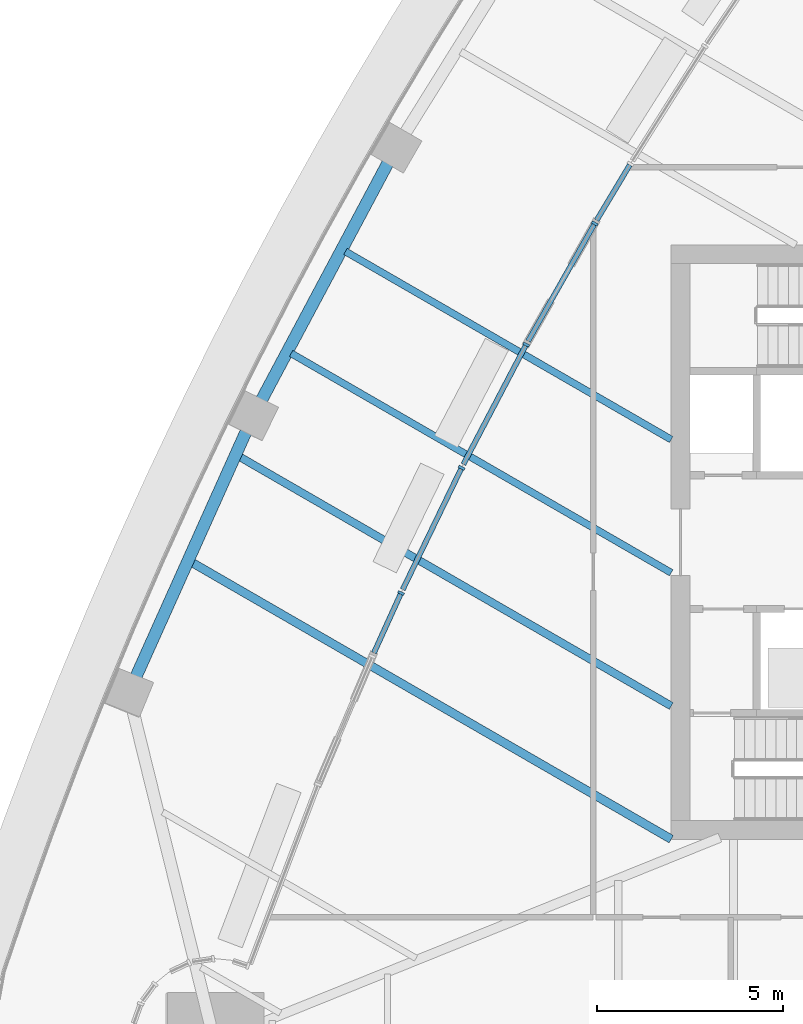
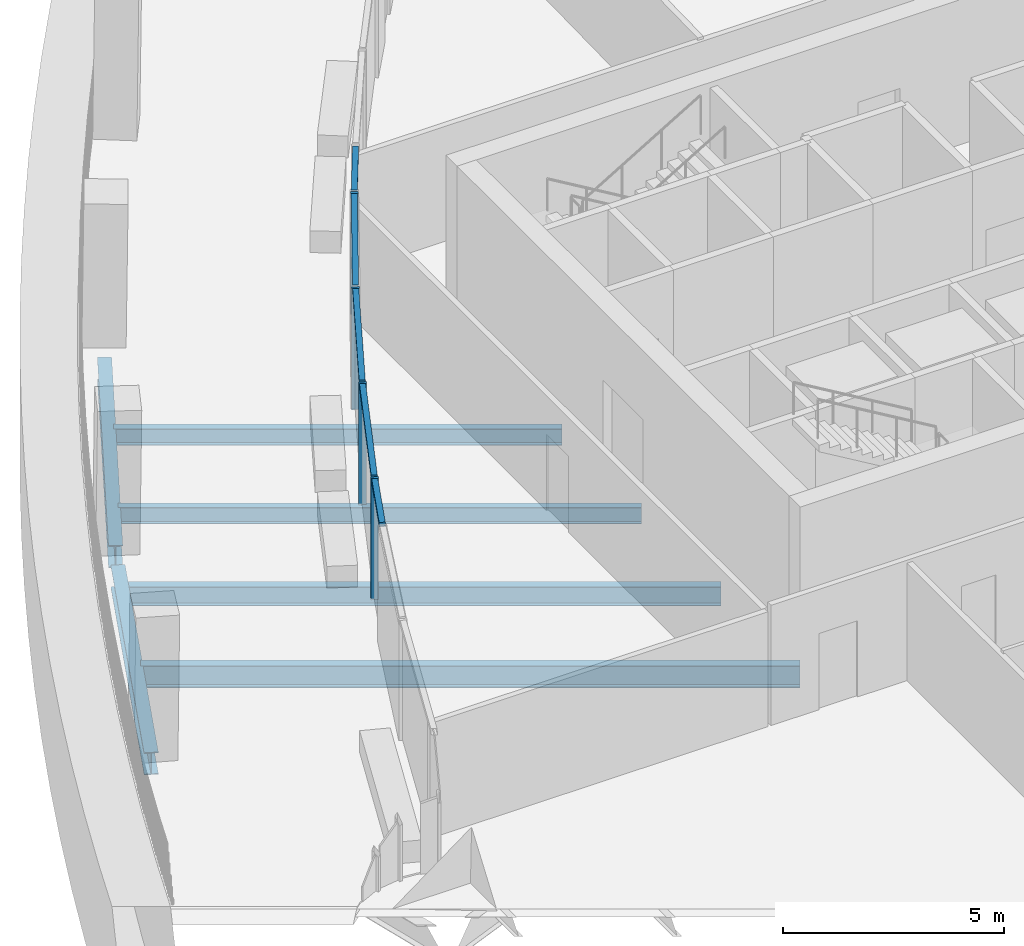
# One storey, part 3 of 18: 9 members, 6 beams, 5 elements without a shape of their own.
"""IFC4 building model written with IfcOpenShell, lengths in metres."""

from ifc_helpers import new_model, si_unit, direction, frame, origin, origin_2d, place, context, subcontext, project, spatial, rectangle, i_section, extrude, material, layer, layer_set, material_profile, profile_set, type_object, element, aggregate, save


model = new_model("IFC4")

# Units and contexts
model_context = context("Model", 3, precision=1e-05, world=origin(), true_north=direction((0.0, 1.0)))
body_context = subcontext(model_context, "Body", "Model", "MODEL_VIEW")
ifc_project = project(units=[si_unit("LENGTHUNIT", "METRE"), si_unit("AREAUNIT", "SQUARE_METRE"), si_unit("VOLUMEUNIT", "CUBIC_METRE"), si_unit("PLANEANGLEUNIT", "RADIAN"), si_unit("MASSUNIT", "GRAM", prefix="KILO")], contexts=[model_context])

# Site, building, storey
site_placement = place(None, origin())
site = spatial("IfcSite", under=ifc_project, at=site_placement, CompositionType="ELEMENT")
building_placement = place(site_placement, origin())
building = spatial("IfcBuilding", under=site, at=building_placement, Name="Sierra Prisma Convention Tower", CompositionType="ELEMENT")
storey_placement = place(building_placement, frame((0.0, 0.0, 189.800048828125)))
storey = spatial("IfcBuildingStorey", under=building, at=storey_placement, Name="L42", CompositionType="ELEMENT", Elevation=189.800048828125)

# Curtain wall, member
ifc_material_1 = material(Name="Aluminium and glass curtain wall", Category="aluminium")
ifc_layer = layer(ifc_material_1, 0.179931640625)
ifc_layer_set = layer_set([ifc_layer], Name="CW-6 Terrace recess curtain wall")
curtain_wall_type = type_object("IfcCurtainWallType", Name="CW-6 Terrace recess curtain wall", PredefinedType="NOTDEFINED", material=ifc_layer_set)
curtain_wall_1_placement = place(storey_placement, origin())
curtain_wall_1 = element("IfcCurtainWall", 1, at=curtain_wall_1_placement, inside=storey, type_object=curtain_wall_type, Name="CW-6 R7 L42", PredefinedType="NOTDEFINED")
ifc_material_2 = material(Name="Aluminium 6063-T6 bronze anodised", Category="aluminium")
ifc_material_profile_1 = material_profile(ifc_material_2, rectangle(XDim=0.179931640625, YDim=0.070068359375, at=origin_2d()), Name="ALU MULLION 70x180")
ifc_profile_set_1 = profile_set([ifc_material_profile_1], Name="Aluminium 6063-T6 bronze anodised")
member_type_1 = type_object("IfcMemberType", Name="CW mullion bronze", PredefinedType="MULLION", material=ifc_profile_set_1)
member_1_placement = place(storey_placement, frame((-13.05908203125, 8.580810546875, 0.0), z_axis=(0.0, 0.0, 1.0), x_axis=(0.870058659659, -0.492948200881, 0.0)))
member_1 = element("IfcMember", 2, at=member_1_placement, type_object=member_type_1, Name="CW-6 mullion R7.1", PredefinedType="MULLION", context=body_context, shape_type="SweptSolid", body=[
    extrude(rectangle(XDim=0.179931640625, YDim=0.070068359375, at=origin_2d()), origin(), (0.0, 0.0, 1.0), 3.33984375),
])

curtain_wall_2_placement = place(storey_placement, origin())
curtain_wall_2 = element("IfcCurtainWall", 3, at=curtain_wall_2_placement, inside=storey, type_object=curtain_wall_type, Name="CW-6 R8 L42", PredefinedType="NOTDEFINED")
member_2_placement = place(storey_placement, frame((-14.90478515625, 5.32080078125, 0.0), z_axis=(0.0, 0.0, 1.0), x_axis=(0.885614882919, -0.464420369011, 0.0)))
member_2 = element("IfcMember", 4, at=member_2_placement, type_object=member_type_1, Name="CW-6 mullion R8.1", PredefinedType="MULLION", context=body_context, shape_type="SweptSolid", body=[
    extrude(rectangle(XDim=0.179931640625, YDim=0.070068359375, at=origin_2d()), origin(), (0.0, 0.0, 1.0), 3.33984375),
])

curtain_wall_3_placement = place(storey_placement, origin())
curtain_wall_3 = element("IfcCurtainWall", 5, at=curtain_wall_3_placement, inside=storey, type_object=curtain_wall_type, Name="CW-6 R9 L42", PredefinedType="NOTDEFINED")
member_3_placement = place(storey_placement, frame((-16.643798828125, 2.002685546875, 0.0), z_axis=(0.0, 0.0, 1.0), x_axis=(0.900236044518, -0.435402186663, 0.0)))
member_3 = element("IfcMember", 6, at=member_3_placement, type_object=member_type_1, Name="CW-6 mullion R9.1", PredefinedType="MULLION", context=body_context, shape_type="SweptSolid", body=[
    extrude(rectangle(XDim=0.179931640625, YDim=0.070068359375, at=origin_2d()), origin(), (0.0, 0.0, 1.0), 3.33984375),
])

curtain_wall_4_placement = place(storey_placement, origin())
curtain_wall_4 = element("IfcCurtainWall", 7, at=curtain_wall_4_placement, inside=storey, type_object=curtain_wall_type, Name="CW-6 R10 L42", PredefinedType="NOTDEFINED")
member_4_placement = place(storey_placement, frame((-18.27392578125, -1.3701171875, 0.0), z_axis=(0.0, 0.0, 1.0), x_axis=(0.910578957288, -0.413335169741, 0.0)))
member_4 = element("IfcMember", 8, at=member_4_placement, type_object=member_type_1, Name="CW-6 mullion R10.1", PredefinedType="MULLION", context=body_context, shape_type="SweptSolid", body=[
    extrude(rectangle(XDim=0.179931640625, YDim=0.070068359375, at=origin_2d()), origin(), (0.0, 0.0, 1.0), 3.33984375),
])

curtain_wall_5_placement = place(storey_placement, origin())
curtain_wall_5 = element("IfcCurtainWall", 9, at=curtain_wall_5_placement, inside=storey, type_object=curtain_wall_type, Name="CW-6 R6 L42", PredefinedType="NOTDEFINED")
ifc_material_3 = material(Name="Aluminium 6063-T6 bronze anodised", Category="aluminium")
ifc_material_profile_2 = material_profile(ifc_material_3, rectangle(XDim=0.139892578125, YDim=0.1201171875, at=origin_2d()), Name="ALU TRANSOM 120x140")
ifc_profile_set_2 = profile_set([ifc_material_profile_2], Name="Aluminium 6063-T6 bronze anodised")
member_type_2 = type_object("IfcMemberType", Name="CW transom bronze", PredefinedType="USERDEFINED", material=ifc_profile_set_2)
member_5_placement = place(storey_placement, frame((-12.114990234375, 10.157958984375, 3.280029296875), z_axis=(-0.514039922181, -0.857766260938, 0.0), x_axis=(0.857766260938, -0.514039922181, 0.0)))
member_5 = element("IfcMember", 10, at=member_5_placement, type_object=member_type_2, Name="CW-6 transom R6.1", ObjectType="TRANSOM", PredefinedType="USERDEFINED", context=body_context, shape_type="SweptSolid", body=[
    extrude(rectangle(XDim=0.139892578125, YDim=0.1201171875, at=origin_2d()), origin(), (0.0, 0.0, 1.0), 1.733154296875),
])
aggregate(curtain_wall_5, [member_5])

# Member
member_6_placement = place(storey_placement, frame((-13.076416015625, 8.55029296875, 3.280029296875), z_axis=(-0.492949365539, -0.870057999799, 0.0), x_axis=(0.870057999799, -0.492949365539, 0.0)))
member_6 = element("IfcMember", 11, at=member_6_placement, type_object=member_type_2, Name="CW-6 transom R7.1", ObjectType="TRANSOM", PredefinedType="USERDEFINED", context=body_context, shape_type="SweptSolid", body=[
    extrude(rectangle(XDim=0.139892578125, YDim=0.1201171875, at=origin_2d()), origin(), (0.0, 0.0, 1.0), 3.60595703125),
])

aggregate(curtain_wall_1, [member_1, member_6])

member_7_placement = place(storey_placement, frame((-14.921142578125, 5.289794921875, 3.280029296875), z_axis=(-0.464434473997, -0.885607486058, 0.0), x_axis=(0.885607486058, -0.464434473997, 0.0)))
member_7 = element("IfcMember", 12, at=member_7_placement, type_object=member_type_2, Name="CW-6 transom R8.1", ObjectType="TRANSOM", PredefinedType="USERDEFINED", context=body_context, shape_type="SweptSolid", body=[
    extrude(rectangle(XDim=0.139892578125, YDim=0.1201171875, at=origin_2d()), origin(), (0.0, 0.0, 1.0), 3.606201171875),
])

aggregate(curtain_wall_2, [member_2, member_7])

member_8_placement = place(storey_placement, frame((-16.658935546875, 1.97119140625, 3.280029296875), z_axis=(-0.435368040619, -0.900252558568, 0.0), x_axis=(0.900252558568, -0.435368040619, 0.0)))
member_8 = element("IfcMember", 13, at=member_8_placement, type_object=member_type_2, Name="CW-6 transom R9.1", ObjectType="TRANSOM", PredefinedType="USERDEFINED", context=body_context, shape_type="SweptSolid", body=[
    extrude(rectangle(XDim=0.139892578125, YDim=0.1201171875, at=origin_2d()), origin(), (0.0, 0.0, 1.0), 3.606201171875),
])

aggregate(curtain_wall_3, [member_3, member_8])

member_9_placement = place(storey_placement, frame((-18.28857421875, -1.402099609375, 3.280029296875), z_axis=(-0.41331466165, -0.910588266158, 0.0), x_axis=(0.910588266158, -0.41331466165, 0.0)))
member_9 = element("IfcMember", 14, at=member_9_placement, type_object=member_type_2, Name="CW-6 transom R10.1", ObjectType="TRANSOM", PredefinedType="USERDEFINED", context=body_context, shape_type="SweptSolid", body=[
    extrude(rectangle(XDim=0.139892578125, YDim=0.1201171875, at=origin_2d()), origin(), (0.0, 0.0, 1.0), 1.733154296875),
])

aggregate(curtain_wall_4, [member_4, member_9])

# Beams
ifc_material_4 = material(Name="Steel ASTM A992 Gr 50", Category="steel")
ifc_material_profile_3 = material_profile(ifc_material_4, i_section(OverallWidth=0.18994140625, OverallDepth=0.45703125, WebThickness=0.009033203125, FlangeThickness=0.014404296875, at=origin_2d()), Name="W460x74")
ifc_profile_set_3 = profile_set([ifc_material_profile_3], Name="Steel ASTM A992 Gr 50")
beam_type_1 = type_object("IfcBeamType", Name="Floor joist W460x74", PredefinedType="JOIST", material=ifc_profile_set_3)
beam_1_placement = place(storey_placement, frame((-19.771484375, 7.827880859375, -0.528564453125), z_axis=(0.866025826207, -0.499999268342, 0.0), x_axis=(0.499999268342, 0.866025826207, 0.0)))
element("IfcBeam", 15, at=beam_1_placement, inside=storey, type_object=beam_type_1, Name="Floor joist L42 NW09", PredefinedType="JOIST", context=body_context, shape_type="SweptSolid", body=[
    extrude(i_section(OverallWidth=0.18994140625, OverallDepth=0.45703125, WebThickness=0.009033203125, FlangeThickness=0.014404296875, at=origin_2d()), origin(), (0.0, 0.0, 1.0), 10.12841796875),
])
beam_2_placement = place(storey_placement, frame((-21.233642578125, 5.0849609375, -0.528564453125), z_axis=(0.86603248233, -0.499987739399, 0.0), x_axis=(0.499987739399, 0.86603248233, 0.0)))
element("IfcBeam", 16, at=beam_2_placement, inside=storey, type_object=beam_type_1, Name="Floor joist L42 NW10", PredefinedType="JOIST", context=body_context, shape_type="SweptSolid", body=[
    extrude(i_section(OverallWidth=0.18994140625, OverallDepth=0.45703125, WebThickness=0.009033203125, FlangeThickness=0.014404296875, at=origin_2d()), origin(), (0.0, 0.0, 1.0), 11.816650390625),
])
ifc_material_5 = material(Name="Steel ASTM A992 Gr 50", Category="steel")
ifc_material_profile_4 = material_profile(ifc_material_5, i_section(OverallWidth=0.208984375, OverallDepth=0.532958984375, WebThickness=0.01025390625, FlangeThickness=0.015625, at=origin_2d()), Name="W530x92")
ifc_profile_set_4 = profile_set([ifc_material_profile_4], Name="Steel ASTM A992 Gr 50")
beam_type_2 = type_object("IfcBeamType", Name="Floor joist W530x92", PredefinedType="JOIST", material=ifc_profile_set_4)
beam_3_placement = place(storey_placement, frame((-22.6279296875, 2.302978515625, -0.566650390625), z_axis=(0.866025707867, -0.499999473313, 0.0), x_axis=(0.499999473313, 0.866025707867, 0.0)))
element("IfcBeam", 17, at=beam_3_placement, inside=storey, type_object=beam_type_2, Name="Floor joist L42 NW11", PredefinedType="JOIST", context=body_context, shape_type="SweptSolid", body=[
    extrude(i_section(OverallWidth=0.208984375, OverallDepth=0.532958984375, WebThickness=0.01025390625, FlangeThickness=0.015625, at=origin_2d()), origin(), (0.0, 0.0, 1.0), 13.4267578125),
])
ifc_material_6 = material(Name="Steel ASTM A992 Gr 50", Category="steel")
ifc_material_profile_5 = material_profile(ifc_material_6, i_section(OverallWidth=0.22802734375, OverallDepth=0.60302734375, WebThickness=0.010498046875, FlangeThickness=0.014892578125, at=origin_2d()), Name="W610x101")
ifc_profile_set_5 = profile_set([ifc_material_profile_5], Name="Steel ASTM A992 Gr 50")
beam_type_3 = type_object("IfcBeamType", Name="Floor joist W610x101", PredefinedType="JOIST", material=ifc_profile_set_5)
beam_4_placement = place(storey_placement, frame((-23.906982421875, -0.545654296875, -0.6015625), z_axis=(0.866023819722, -0.500002743666, 0.0), x_axis=(0.500002743666, 0.866023819722, 0.0)))
element("IfcBeam", 18, at=beam_4_placement, inside=storey, type_object=beam_type_3, Name="Floor joist L42 NW12", PredefinedType="JOIST", context=body_context, shape_type="SweptSolid", body=[
    extrude(i_section(OverallWidth=0.22802734375, OverallDepth=0.60302734375, WebThickness=0.010498046875, FlangeThickness=0.014892578125, at=origin_2d()), origin(), (0.0, 0.0, 1.0), 14.90380859375),
])
ifc_material_7 = material(Name="Steel ASTM A992 Gr 50", Category="steel")
ifc_material_profile_6 = material_profile(ifc_material_7, i_section(OverallWidth=0.324951171875, OverallDepth=0.615966796875, WebThickness=0.013916015625, FlangeThickness=0.021484375, at=origin_2d()), Name="W610x174")
ifc_profile_set_6 = profile_set([ifc_material_profile_6], Name="Steel ASTM A992 Gr 50")
beam_type_4 = type_object("IfcBeamType", Name="Spandrel beam W610x174", PredefinedType="BEAM", material=ifc_profile_set_6)
beam_5_placement = place(storey_placement, frame((-18.585693359375, 10.29150390625, -0.608154296875), z_axis=(-0.47040562507, -0.882450309027, 0.0), x_axis=(0.882450309027, -0.47040562507, 0.0)))
element("IfcBeam", 19, at=beam_5_placement, inside=storey, type_object=beam_type_4, Name="Spandrel L42-16", PredefinedType="BEAM", context=body_context, shape_type="SweptSolid", body=[
    extrude(i_section(OverallWidth=0.324951171875, OverallDepth=0.615966796875, WebThickness=0.013916015625, FlangeThickness=0.021484375, at=origin_2d()), origin(), (0.0, 0.0, 1.0), 7.42529296875),
])
beam_6_placement = place(storey_placement, frame((-22.4130859375, 3.056640625, -0.608154296875), z_axis=(-0.409634517805, -0.912249725581, 0.0), x_axis=(0.912249725581, -0.409634517805, 0.0)))
element("IfcBeam", 20, at=beam_6_placement, inside=storey, type_object=beam_type_4, Name="Spandrel L42-17", PredefinedType="BEAM", context=body_context, shape_type="SweptSolid", body=[
    extrude(i_section(OverallWidth=0.324951171875, OverallDepth=0.615966796875, WebThickness=0.013916015625, FlangeThickness=0.021484375, at=origin_2d()), origin(), (0.0, 0.0, 1.0), 7.425537109375),
])

save(model, "model.ifc")
